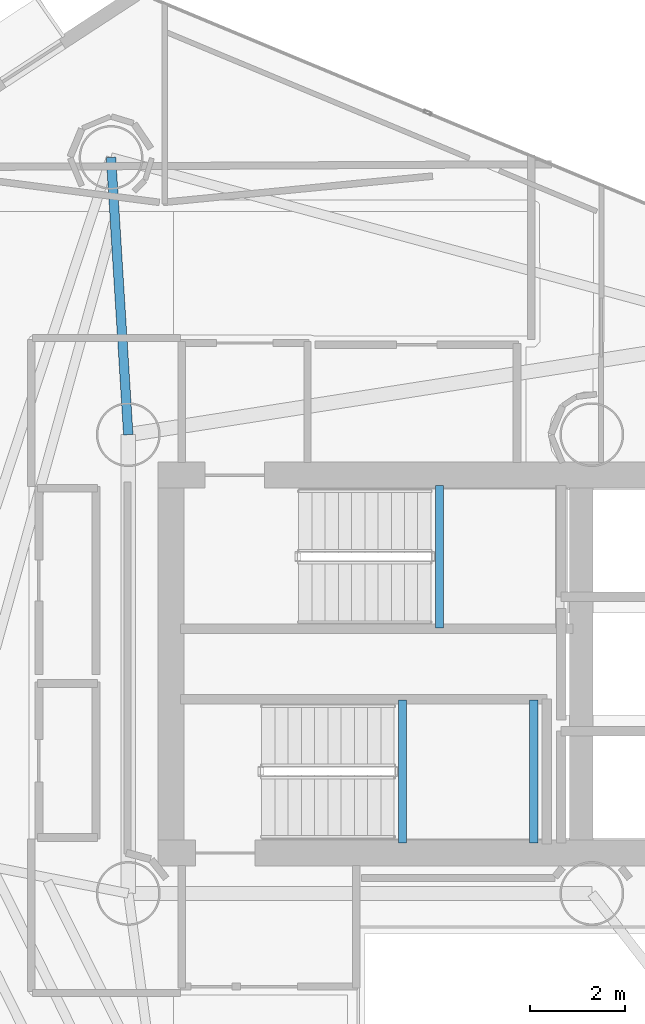
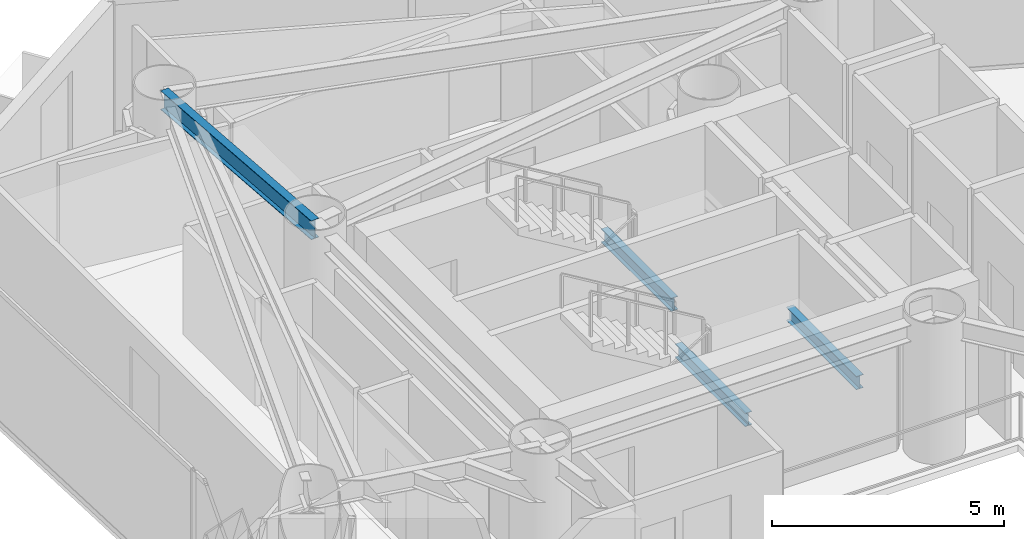
# One storey, part 10 of 22: 4 beams.
"""IFC4 building model written with IfcOpenShell, lengths in metres."""

from ifc_helpers import new_model, si_unit, direction, frame, origin, origin_2d, place, context, subcontext, project, spatial, i_section, extrude, material, material_profile, profile_set, type_object, element, save


model = new_model("IFC4")

# Units and contexts
model_context = context("Model", 3, precision=1e-05, world=origin(), true_north=direction((0.0, 1.0)))
body_context = subcontext(model_context, "Body", "Model", "MODEL_VIEW")
ifc_project = project(units=[si_unit("LENGTHUNIT", "METRE"), si_unit("AREAUNIT", "SQUARE_METRE"), si_unit("VOLUMEUNIT", "CUBIC_METRE"), si_unit("PLANEANGLEUNIT", "RADIAN"), si_unit("MASSUNIT", "GRAM", prefix="KILO")], contexts=[model_context])

# Site, building, storey
site_placement = place(None, origin())
site = spatial("IfcSite", under=ifc_project, at=site_placement, CompositionType="ELEMENT")
building_placement = place(site_placement, origin())
building = spatial("IfcBuilding", under=site, at=building_placement, Name="Qianvela Tower", CompositionType="ELEMENT")
storey_placement = place(building_placement, frame((0.0, 0.0, 155.0)))
storey = spatial("IfcBuildingStorey", under=building, at=storey_placement, Name="L39", CompositionType="ELEMENT", Elevation=155.0)

# Beams
ifc_material_1 = material(Name="Steel Q355B", Category="steel")
ifc_material_profile_1 = material_profile(ifc_material_1, i_section(OverallWidth=0.175048828125, OverallDepth=0.35009765625, WebThickness=0.007080078125, FlangeThickness=0.010986328125, at=origin_2d()), Name="HN350x175x7x11")
ifc_profile_set_1 = profile_set([ifc_material_profile_1], Name="Steel Q355B")
beam_type_1 = type_object("IfcBeamType", Name="BM-HN350-JOIST", PredefinedType="JOIST", material=ifc_profile_set_1)
for number, where, z_axis, x_axis, name in (
    (1, (35.179931640625, 29.4599609375, 1.47509765625), (0.0, 1.0, 0.0), (-1.0, 0.0, 0.0), "L39 Stair ST-1 Landing Support Beam 1.1"),
    (2, (34.39990234375, 24.919921875, 1.47509765625), (0.0, 1.0, 0.0), (-1.0, 0.0, 0.0), "L39 Stair ST-2 Landing Support Beam 1.1"),
    (3, (37.169921875, 24.919921875, 1.47509765625), (0.0, 1.0, 0.0), (-1.0, 0.0, 0.0), "L39 Stair ST-2 Landing Support Beam 1.2"),
):
    element("IfcBeam", number, at=place(storey_placement, frame(where, z_axis=z_axis, x_axis=x_axis)), inside=storey, type_object=beam_type_1, Name=name, PredefinedType="JOIST", context=body_context, shape_type="SweptSolid", body=[
        extrude(i_section(OverallWidth=0.175048828125, OverallDepth=0.35009765625, WebThickness=0.007080078125, FlangeThickness=0.010986328125, at=origin_2d()), origin(), (0.0, 0.0, 1.0), 3.02001953125),
    ])
ifc_material_2 = material(Name="Steel Q355B", Category="steel")
ifc_material_profile_2 = material_profile(ifc_material_2, i_section(OverallWidth=0.199951171875, OverallDepth=0.5, WebThickness=0.010009765625, FlangeThickness=0.01611328125, at=origin_2d()), Name="HN500x200x10x16")
ifc_profile_set_2 = profile_set([ifc_material_profile_2], Name="Steel Q355B")
beam_type_2 = type_object("IfcBeamType", Name="BM-HN500-GIRD", PredefinedType="BEAM", material=ifc_profile_set_2)
beam_placement = place(storey_placement, frame((28.60009765625, 33.550048828125, 3.26806640625), z_axis=(-0.0621556847, 0.998066466153, 0.0), x_axis=(-0.998066466153, -0.0621556847, 0.0)))
element("IfcBeam", 4, at=beam_placement, inside=storey, type_object=beam_type_2, Name="L39 Radial Primary Floor Girder 3", PredefinedType="BEAM", context=body_context, shape_type="SweptSolid", body=[
    extrude(i_section(OverallWidth=0.199951171875, OverallDepth=0.5, WebThickness=0.010009765625, FlangeThickness=0.01611328125, at=origin_2d()), origin(), (0.0, 0.0, 1.0), 5.872314453125),
])

save(model, "model.ifc")
